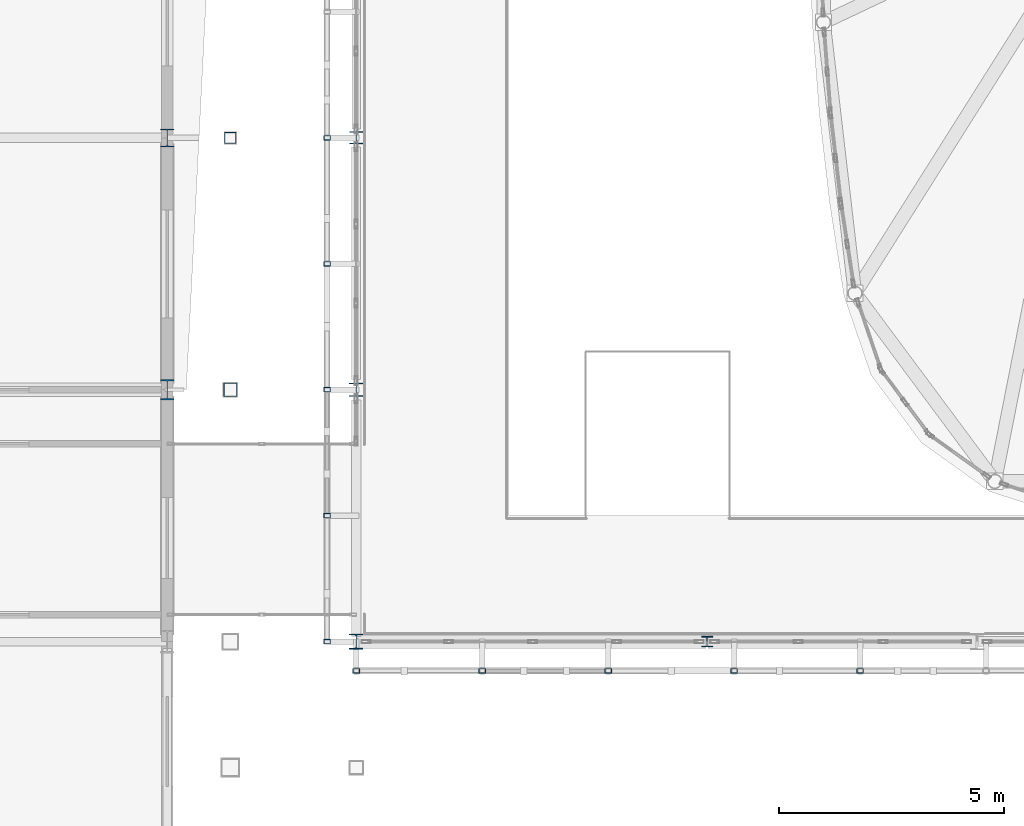
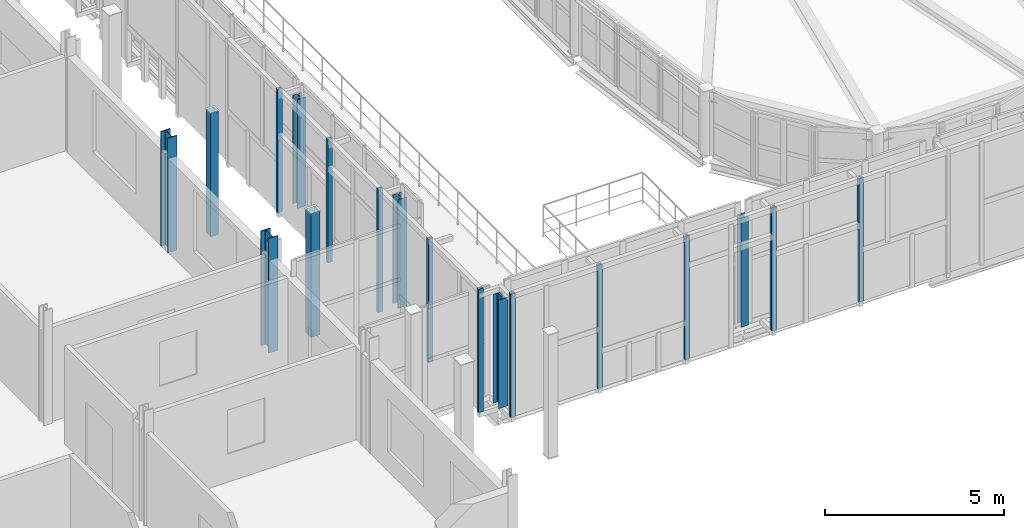
# One storey, part 2 of 78: 18 columns.
"""IFC4 building model written with IfcOpenShell, lengths in metres."""

import ifcopenshell
import ifcopenshell.guid

model = None  # the IFC model being written
_history = None  # IfcOwnerHistory: only IFC2X3 demands one
_inside = {}  # id of a spatial element -> (the spatial element, [elements in it])
_under = {}  # id of a project, library or spatial element -> (it, [spatial elements below it])
_declared = {}  # id of a project -> (the project, [libraries it declares])
_typed = {}  # id of a type object -> (the type object, [elements of that type])
_made_of = {}  # id of a material, layer set ... -> (it, [elements and type objects made of it])


def new_model(schema):
    """Start an empty IFC model of exactly this schema.

    Asked for "IFC4X3", IfcOpenShell would pick the latest addendum, in which some entities
    have other attributes; the version numbers below select the first issue.
    IFC2X3 requires an IfcOwnerHistory on every rooted entity: one is made here for all.
    """
    global model, _history
    if schema == "IFC4X3":
        model = ifcopenshell.file(schema_version=(4, 3, 0, 0))
    else:
        model = ifcopenshell.file(schema=schema)
    _inside.clear()
    _under.clear()
    _declared.clear()
    _typed.clear()
    _made_of.clear()
    _history = None
    if model.schema == "IFC2X3":
        org = make("IfcOrganization", Name="unknown")
        user = make(
            "IfcPersonAndOrganization",
            ThePerson=make("IfcPerson", FamilyName="unknown"),
            TheOrganization=org,
        )
        app = make(
            "IfcApplication",
            ApplicationDeveloper=org,
            Version="unknown",
            ApplicationFullName="unknown",
            ApplicationIdentifier="unknown",
        )
        _history = make(
            "IfcOwnerHistory",
            OwningUser=user,
            OwningApplication=app,
            ChangeAction="ADDED",
            CreationDate=0,
        )
    return model


def make(cls, **values):
    """One entity of the class cls with the attributes given. An attribute that is None is left unset."""
    return model.create_entity(
        cls, **{name: value for name, value in values.items() if value is not None}
    )


def rooted(cls, **values):
    """An entity with a GlobalId (a new one), such as an element, a storey or a relation."""
    return make(cls, GlobalId=ifcopenshell.guid.new(), OwnerHistory=_history, **values)


def si_unit(unit_type, name, prefix=None):
    """IfcSIUnit, for example si_unit("LENGTHUNIT", "METRE", prefix="MILLI")."""
    return make("IfcSIUnit", UnitType=unit_type, Prefix=prefix, Name=name)


def assignment(units):
    """IfcUnitAssignment: the units of a project."""
    return None if units is None else make("IfcUnitAssignment", Units=units)


def point(xyz):
    """IfcCartesianPoint."""
    return None if xyz is None else make("IfcCartesianPoint", Coordinates=xyz)


def direction(xyz):
    """IfcDirection."""
    return None if xyz is None else make("IfcDirection", DirectionRatios=xyz)


def frame(location, z_axis=None, x_axis=None):
    """IfcAxis2Placement3D, a coordinate frame: its origin and axes. An axis left out is left unset."""
    return make(
        "IfcAxis2Placement3D",
        Location=point(location),
        Axis=direction(z_axis),
        RefDirection=direction(x_axis),
    )


def frame_2d(location, x_axis=None):
    """IfcAxis2Placement2D, a coordinate frame in the plane: its origin and x axis."""
    return make(
        "IfcAxis2Placement2D", Location=point(location), RefDirection=direction(x_axis)
    )


def origin():
    """The frame at (0, 0, 0) with its axes left unset."""
    return frame((0.0, 0.0, 0.0))


def origin_2d():
    """The frame at (0, 0) in the plane with its x axis left unset."""
    return frame_2d((0.0, 0.0))


def place(relative_to, where):
    """IfcLocalPlacement: puts the frame where relative to a parent placement (None: the world)."""
    return make(
        "IfcLocalPlacement", PlacementRelTo=relative_to, RelativePlacement=where
    )


def context(
    kind, dimensions, precision=None, world=None, true_north=None, identifier=None
):
    """IfcGeometricRepresentationContext, for example the 3D "Model" context."""
    return make(
        "IfcGeometricRepresentationContext",
        ContextIdentifier=identifier,
        ContextType=kind,
        CoordinateSpaceDimension=dimensions,
        Precision=precision,
        WorldCoordinateSystem=world,
        TrueNorth=true_north,
    )


def subcontext(parent, identifier, kind, view, scale=None):
    """IfcGeometricRepresentationSubContext, for example "Body" below "Model"."""
    return make(
        "IfcGeometricRepresentationSubContext",
        ContextIdentifier=identifier,
        ContextType=kind,
        ParentContext=parent,
        TargetScale=scale,
        TargetView=view,
    )


def project(units=None, contexts=None):
    """IfcProject with its units and contexts."""
    return rooted(
        "IfcProject",
        Name="project",
        RepresentationContexts=contexts,
        UnitsInContext=assignment(units),
    )


def spatial(cls, under=None, at=None, **own):
    """A site, building, storey or space (cls), placed at a placement, below another one or the project."""
    s = rooted(cls, ObjectPlacement=at, **own)
    if under is not None:
        _under.setdefault(under.id(), (under, []))[1].append(s)
    return s


def profile(cls, at=None, kind="AREA", **sizes):
    """A parametric profile (cls). Its sizes go by their IFC names, for example OverallWidth=200.0."""
    return make(cls, ProfileType=kind, Position=at, **sizes)


def hollow_rectangle(**sizes):
    """IfcRectangleHollowProfileDef."""
    return profile("IfcRectangleHollowProfileDef", **sizes)


def i_section(**sizes):
    """IfcIShapeProfileDef."""
    return profile("IfcIShapeProfileDef", **sizes)


def extrude(swept, where, along, depth):
    """IfcExtrudedAreaSolid: the profile swept, set in the frame where, extruded along a direction by depth."""
    return make(
        "IfcExtrudedAreaSolid",
        SweptArea=swept,
        Position=where,
        ExtrudedDirection=direction(along),
        Depth=depth,
    )


def shape(context_of_items, identifier, shape_type, items):
    """IfcShapeRepresentation: the items that make up one representation, for example the "Body"."""
    return make(
        "IfcShapeRepresentation",
        ContextOfItems=context_of_items,
        RepresentationIdentifier=identifier,
        RepresentationType=shape_type,
        Items=items,
    )


def material(Name=None, Category=None):
    """IfcMaterial."""
    return make("IfcMaterial", Name=Name, Category=Category)


def material_profile(
    of_material, cross_section, Name=None, Category=None, Priority=None
):
    """IfcMaterialProfile: a cross section and its material."""
    return make(
        "IfcMaterialProfile",
        Name=Name,
        Material=of_material,
        Profile=cross_section,
        Priority=Priority,
        Category=Category,
    )


def profile_set(profiles, Name=None, composite=None):
    """IfcMaterialProfileSet."""
    return make(
        "IfcMaterialProfileSet",
        Name=Name,
        MaterialProfiles=profiles,
        CompositeProfile=composite,
    )


def made_of(thing, what):
    """Note that an element or type object is made of a material, layer set ...; save() writes the relation."""
    if what is not None:
        _made_of.setdefault(what.id(), (what, []))[1].append(thing)
    return thing


def type_object(cls, material=None, **own):
    """A type object (cls), such as IfcWallType, which elements share."""
    return made_of(rooted(cls, **own), material)


def element(
    cls,
    number,
    at=None,
    inside=None,
    cuts=None,
    type_object=None,
    material=None,
    context=None,
    identifier="Body",
    shape_type=None,
    held_by="IfcProductDefinitionShape",
    body=None,
    shapes=None,
    **own,
):
    """One element of the class cls, such as IfcWall. Its Tag is "e" and its number.

    at: its placement. inside: the storey or other place that contains it. cuts: it is an
    opening in that element (IfcRelVoidsElement). A single representation is given by context,
    identifier, shape_type and body (its items); several are given by shapes. held_by: the class
    of the entity that holds the representations. save() writes the other relations.
    """
    e = rooted(cls, Tag="e%d" % number, ObjectPlacement=at, **own)
    if body is not None:
        shapes = [shape(context, identifier, shape_type, body)]
    if shapes is not None:
        e.Representation = make(held_by, Representations=shapes)
    if inside is not None:
        _inside.setdefault(inside.id(), (inside, []))[1].append(e)
    if cuts is not None:
        rooted(
            "IfcRelVoidsElement", RelatingBuildingElement=cuts, RelatedOpeningElement=e
        )
    if type_object is not None:
        _typed.setdefault(type_object.id(), (type_object, []))[1].append(e)
    return made_of(e, material)


def aggregate(whole, parts):
    """IfcRelAggregates: a whole, such as a stair, and the parts it consists of."""
    return rooted("IfcRelAggregates", RelatingObject=whole, RelatedObjects=parts)


def save(model, path):
    """Write the relations noted so far, then the file.

    IfcRelAggregates (storeys below a building ...), IfcRelContainedInSpatialStructure (elements
    in a storey), IfcRelDefinesByType, IfcRelAssociatesMaterial and IfcRelDeclares: one each for
    every whole, place, type object, material and project.
    """
    for whole, parts in _under.values():
        aggregate(whole, parts)
    for where, things in _inside.values():
        rooted(
            "IfcRelContainedInSpatialStructure",
            RelatedElements=things,
            RelatingStructure=where,
        )
    for kind, things in _typed.values():
        rooted("IfcRelDefinesByType", RelatedObjects=things, RelatingType=kind)
    for what, things in _made_of.values():
        rooted("IfcRelAssociatesMaterial", RelatedObjects=things, RelatingMaterial=what)
    for by, libraries in _declared.values():
        rooted("IfcRelDeclares", RelatingContext=by, RelatedDefinitions=libraries)
    model.write(path)


model = new_model("IFC4")

# Units and contexts
model_context = context("Model", 3, precision=1e-05, world=origin(), true_north=direction((0.0, 1.0)))
body_context = subcontext(model_context, "Body", "Model", "MODEL_VIEW")
ifc_project = project(units=[si_unit("LENGTHUNIT", "METRE"), si_unit("AREAUNIT", "SQUARE_METRE"), si_unit("VOLUMEUNIT", "CUBIC_METRE"), si_unit("PLANEANGLEUNIT", "RADIAN"), si_unit("MASSUNIT", "GRAM", prefix="KILO")], contexts=[model_context])

# Site, building, storey
site_placement = place(None, origin())
site = spatial("IfcSite", under=ifc_project, at=site_placement, CompositionType="ELEMENT")
building_placement = place(site_placement, origin())
building = spatial("IfcBuilding", under=site, at=building_placement, Name="Vinh Khe Railworks Police Headquarters", CompositionType="ELEMENT")
storey_placement = place(building_placement, frame((0.0, 0.0, 13.199951171875)))
storey = spatial("IfcBuildingStorey", under=building, at=storey_placement, Name="L03", CompositionType="ELEMENT", Elevation=13.199951171875)

# Columns
ifc_material = material(Name="Steel S355JR", Category="steel")
ifc_material_profile_1 = material_profile(ifc_material, hollow_rectangle(XDim=0.14990234375, YDim=0.10009765625, WallThickness=0.008056640625, at=origin_2d()), Name="RHS 150x100x8")
ifc_profile_set_1 = profile_set([ifc_material_profile_1], Name="Steel S355JR")
column_type_1 = type_object("IfcColumnType", Name="COL-QUILT-POST", PredefinedType="COLUMN", material=ifc_profile_set_1)
for number, where, z_axis, x_axis, name in (
    (1, (26.39990234375, 24.550048828125, 0.0), (0.0, 0.0, 1.0), (1.0, 0.0, 0.0), "Patchwork Quilt Carrier Column S-1 (L03)"),
    (2, (29.199951171875, 24.550048828125, 0.0), (0.0, 0.0, 1.0), (1.0, 0.0, 0.0), "Patchwork Quilt Carrier Column S-2 (L03)"),
    (3, (32.0, 24.550048828125, 0.0), (0.0, 0.0, 1.0), (1.0, 0.0, 0.0), "Patchwork Quilt Carrier Column S-3 (L03)"),
    (4, (34.800048828125, 24.550048828125, 0.0), (0.0, 0.0, 1.0), (1.0, 0.0, 0.0), "Patchwork Quilt Carrier Column S-4 (L03)"),
    (5, (37.60009765625, 24.550048828125, 0.0), (0.0, 0.0, 1.0), (1.0, 0.0, 0.0), "Patchwork Quilt Carrier Column S-5 (L03)"),
    (6, (25.75, 25.199951171875, 0.0), (0.0, 0.0, 1.0), (1.0, 0.0, 0.0), "Patchwork Quilt Carrier Column W-1 (L03)"),
    (7, (25.75, 28.0, 0.0), (0.0, 0.0, 1.0), (1.0, 0.0, 0.0), "Patchwork Quilt Carrier Column W-2 (L03)"),
    (8, (25.75, 30.800048828125, 0.0), (0.0, 0.0, 1.0), (1.0, 0.0, 0.0), "Patchwork Quilt Carrier Column W-3 (L03)"),
    (9, (25.75, 33.60009765625, 0.0), (0.0, 0.0, 1.0), (1.0, 0.0, 0.0), "Patchwork Quilt Carrier Column W-4 (L03)"),
    (10, (25.75, 36.39990234375, 0.0), (0.0, 0.0, 1.0), (1.0, 0.0, 0.0), "Patchwork Quilt Carrier Column W-5 (L03)"),
):
    element("IfcColumn", number, at=place(storey_placement, frame(where, z_axis=z_axis, x_axis=x_axis)), inside=storey, type_object=column_type_1, Name=name, PredefinedType="COLUMN", context=body_context, shape_type="SweptSolid", body=[
        extrude(hollow_rectangle(XDim=0.14990234375, YDim=0.10009765625, WallThickness=0.008056640625, at=origin_2d()), origin(), (0.0, 0.0, 1.0), 4.199951171875),
    ])
ifc_material_profile_2 = material_profile(ifc_material, i_section(OverallWidth=0.239990234375, OverallDepth=0.22998046875, WebThickness=0.007568359375, FlangeThickness=0.011962890625, FilletRadius=0.02099609375, at=origin_2d()), Name="HEA 240")
ifc_profile_set_2 = profile_set([ifc_material_profile_2], Name="Steel S355JR")
column_type_2 = type_object("IfcColumnType", Name="Steel Column HEA 240", PredefinedType="COLUMN", material=ifc_profile_set_2)
column_1_placement = place(storey_placement, frame((34.199951171875, 25.199951171875, 0.0), z_axis=(0.0, 0.0, 1.0), x_axis=(1.0, 0.0, 0.0)))
element("IfcColumn", 11, at=column_1_placement, inside=storey, type_object=column_type_2, Name="Column COL-L03-SC-20-0793", PredefinedType="COLUMN", context=body_context, shape_type="SweptSolid", body=[
    extrude(i_section(OverallWidth=0.239990234375, OverallDepth=0.22998046875, WebThickness=0.007568359375, FlangeThickness=0.011962890625, FilletRadius=0.02099609375, at=origin_2d()), origin(), (0.0, 0.0, 1.0), 3.699951171875),
])
ifc_material_profile_3 = material_profile(ifc_material, i_section(OverallWidth=0.280029296875, OverallDepth=0.27001953125, WebThickness=0.008056640625, FlangeThickness=0.012939453125, FilletRadius=0.02392578125, at=origin_2d()), Name="HEA 280")
ifc_profile_set_3 = profile_set([ifc_material_profile_3], Name="Steel S355JR")
column_type_3 = type_object("IfcColumnType", Name="Steel Column HEA 280", PredefinedType="COLUMN", material=ifc_profile_set_3)
column_2_placement = place(storey_placement, frame((26.39990234375, 36.39990234375, 0.0), z_axis=(0.0, 0.0, 1.0), x_axis=(1.0, 0.0, 0.0)))
element("IfcColumn", 12, at=column_2_placement, inside=storey, type_object=column_type_3, Name="Column COL-L03-SC-19-0736", PredefinedType="COLUMN", context=body_context, shape_type="SweptSolid", body=[
    extrude(i_section(OverallWidth=0.280029296875, OverallDepth=0.27001953125, WebThickness=0.008056640625, FlangeThickness=0.012939453125, FilletRadius=0.02392578125, at=origin_2d()), origin(), (0.0, 0.0, 1.0), 3.699951171875),
])
ifc_material_profile_4 = material_profile(ifc_material, i_section(OverallWidth=0.300048828125, OverallDepth=0.2900390625, WebThickness=0.008544921875, FlangeThickness=0.013916015625, FilletRadius=0.027099609375, at=origin_2d()), Name="HEA 300")
ifc_profile_set_4 = profile_set([ifc_material_profile_4], Name="Steel S355JR")
column_type_4 = type_object("IfcColumnType", Name="Steel Column HEA 300", PredefinedType="COLUMN", material=ifc_profile_set_4)
column_3_placement = place(storey_placement, frame((26.39990234375, 30.800048828125, 0.0), z_axis=(0.0, 0.0, 1.0), x_axis=(1.0, 0.0, 0.0)))
element("IfcColumn", 13, at=column_3_placement, inside=storey, type_object=column_type_4, Name="Column COL-L03-SC-18-0731", PredefinedType="COLUMN", context=body_context, shape_type="SweptSolid", body=[
    extrude(i_section(OverallWidth=0.300048828125, OverallDepth=0.2900390625, WebThickness=0.008544921875, FlangeThickness=0.013916015625, FilletRadius=0.027099609375, at=origin_2d()), origin(), (0.0, 0.0, 1.0), 3.699951171875),
])
ifc_material_profile_5 = material_profile(ifc_material, i_section(OverallWidth=0.300048828125, OverallDepth=0.330078125, WebThickness=0.009521484375, FlangeThickness=0.0166015625, FilletRadius=0.027099609375, at=origin_2d()), Name="HEA 340")
ifc_profile_set_5 = profile_set([ifc_material_profile_5], Name="Steel S355JR")
column_type_5 = type_object("IfcColumnType", Name="Steel Column HEA 340", PredefinedType="COLUMN", material=ifc_profile_set_5)
column_4_placement = place(storey_placement, frame((26.39990234375, 25.199951171875, 0.0), z_axis=(0.0, 0.0, 1.0), x_axis=(1.0, 0.0, 0.0)))
element("IfcColumn", 14, at=column_4_placement, inside=storey, type_object=column_type_5, Name="Column COL-L03-SC-17-0726", PredefinedType="COLUMN", context=body_context, shape_type="SweptSolid", body=[
    extrude(i_section(OverallWidth=0.300048828125, OverallDepth=0.330078125, WebThickness=0.009521484375, FlangeThickness=0.0166015625, FilletRadius=0.027099609375, at=origin_2d()), origin(), (0.0, 0.0, 1.0), 3.699951171875),
])
ifc_material_profile_6 = material_profile(ifc_material, i_section(OverallWidth=0.300048828125, OverallDepth=0.39990234375, WebThickness=0.013427734375, FlangeThickness=0.02392578125, FilletRadius=0.027099609375, at=origin_2d()), Name="HEB 400")
ifc_profile_set_6 = profile_set([ifc_material_profile_6], Name="Steel S355JR")
column_type_6 = type_object("IfcColumnType", Name="Steel Column HEB 400", PredefinedType="COLUMN", material=ifc_profile_set_6)
column_5_placement = place(storey_placement, frame((22.199951171875, 36.39990234375, 0.0), z_axis=(0.0, 0.0, 1.0), x_axis=(1.0, 0.0, 0.0)))
element("IfcColumn", 15, at=column_5_placement, inside=storey, type_object=column_type_6, Name="Column COL-L03-SC-08-0539", PredefinedType="COLUMN", context=body_context, shape_type="SweptSolid", body=[
    extrude(i_section(OverallWidth=0.300048828125, OverallDepth=0.39990234375, WebThickness=0.013427734375, FlangeThickness=0.02392578125, FilletRadius=0.027099609375, at=origin_2d()), origin(), (0.0, 0.0, 1.0), 3.900146484375),
])
ifc_material_profile_7 = material_profile(ifc_material, i_section(OverallWidth=0.300048828125, OverallDepth=0.449951171875, WebThickness=0.013916015625, FlangeThickness=0.02587890625, FilletRadius=0.027099609375, at=origin_2d()), Name="HEB 450")
ifc_profile_set_7 = profile_set([ifc_material_profile_7], Name="Steel S355JR")
column_type_7 = type_object("IfcColumnType", Name="Steel Column HEB 450", PredefinedType="COLUMN", material=ifc_profile_set_7)
column_6_placement = place(storey_placement, frame((22.199951171875, 30.800048828125, 0.0), z_axis=(0.0, 0.0, 1.0), x_axis=(1.0, 0.0, 0.0)))
element("IfcColumn", 16, at=column_6_placement, inside=storey, type_object=column_type_7, Name="Column COL-L03-SC-07-0530", PredefinedType="COLUMN", context=body_context, shape_type="SweptSolid", body=[
    extrude(i_section(OverallWidth=0.300048828125, OverallDepth=0.449951171875, WebThickness=0.013916015625, FlangeThickness=0.02587890625, FilletRadius=0.027099609375, at=origin_2d()), origin(), (0.0, 0.0, 1.0), 3.900146484375),
])
ifc_material_profile_8 = material_profile(ifc_material, hollow_rectangle(XDim=0.25, YDim=0.25, WallThickness=0.012451171875, at=origin_2d()), Name="SHS 250x250x12.5")
ifc_profile_set_8 = profile_set([ifc_material_profile_8], Name="Steel S355JR")
column_type_8 = type_object("IfcColumnType", Name="Steel Column SHS 250x250x12.5", PredefinedType="COLUMN", material=ifc_profile_set_8)
column_7_placement = place(storey_placement, frame((23.60009765625, 36.39990234375, 0.0), z_axis=(0.0, 0.0, 1.0), x_axis=(1.0, 0.0, 0.0)))
element("IfcColumn", 17, at=column_7_placement, inside=storey, type_object=column_type_8, Name="Column COL-L03-SC-24-0674", PredefinedType="COLUMN", context=body_context, shape_type="SweptSolid", body=[
    extrude(hollow_rectangle(XDim=0.25, YDim=0.25, WallThickness=0.012451171875, at=origin_2d()), origin(), (0.0, 0.0, 1.0), 4.199951171875),
])
ifc_material_profile_9 = material_profile(ifc_material, hollow_rectangle(XDim=0.300048828125, YDim=0.300048828125, WallThickness=0.01611328125, at=origin_2d()), Name="SHS 300x300x16")
ifc_profile_set_9 = profile_set([ifc_material_profile_9], Name="Steel S355JR")
column_type_9 = type_object("IfcColumnType", Name="Steel Column SHS 300x300x16", PredefinedType="COLUMN", material=ifc_profile_set_9)
column_8_placement = place(storey_placement, frame((23.60009765625, 30.800048828125, 0.0), z_axis=(0.0, 0.0, 1.0), x_axis=(1.0, 0.0, 0.0)))
element("IfcColumn", 18, at=column_8_placement, inside=storey, type_object=column_type_9, Name="Column COL-L03-SC-23-0669", PredefinedType="COLUMN", context=body_context, shape_type="SweptSolid", body=[
    extrude(hollow_rectangle(XDim=0.300048828125, YDim=0.300048828125, WallThickness=0.01611328125, at=origin_2d()), origin(), (0.0, 0.0, 1.0), 4.199951171875),
])

save(model, "model.ifc")
